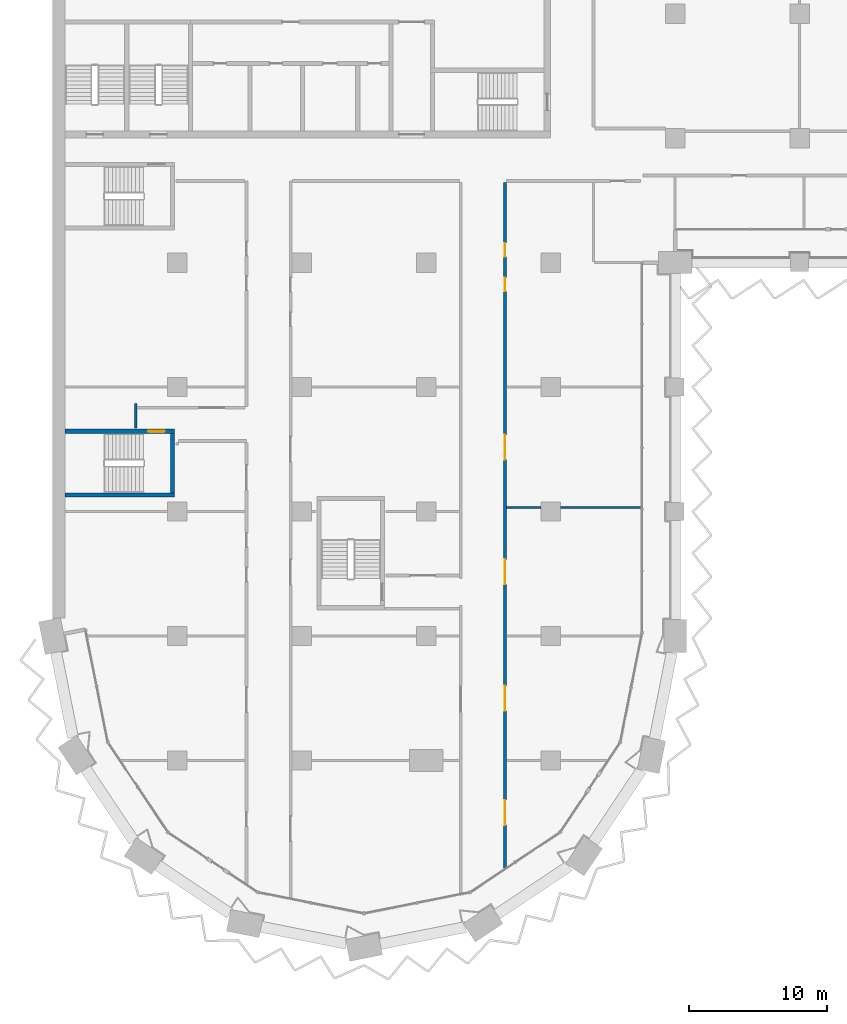
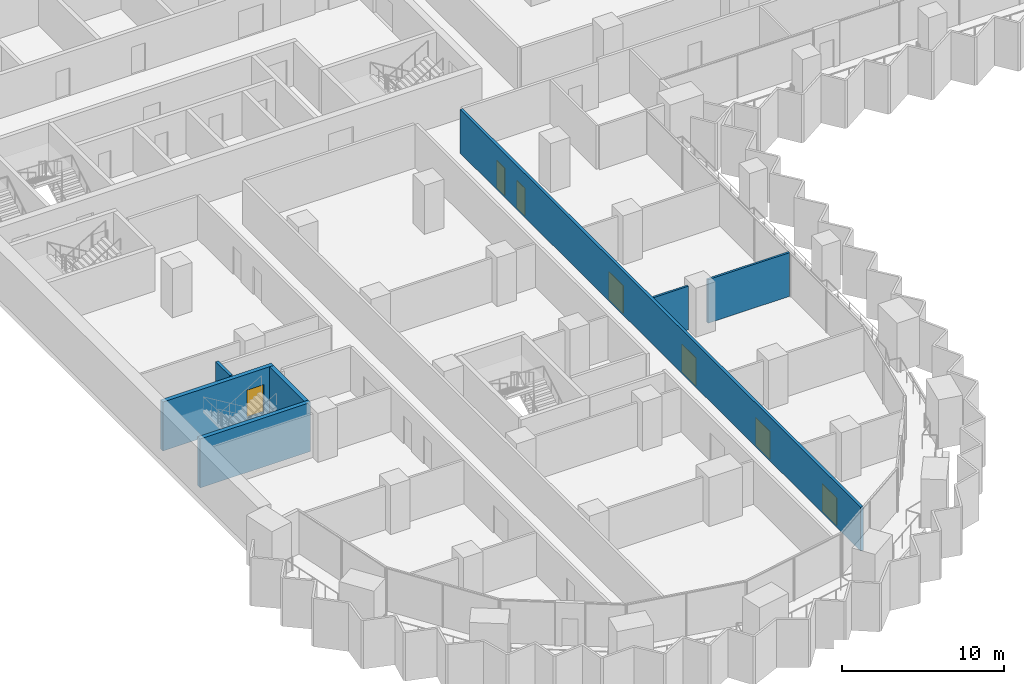
# One storey, part 11 of 29: 7 doors, 7 walls, 7 openings.
"""IFC4 building model written with IfcOpenShell, lengths in metres."""

from ifc_helpers import new_model, si_unit, direction, frame, frame_2d, origin, place, context, subcontext, project, spatial, rectangle, extrude, material, layer, layer_set, type_object, element, fill, save


model = new_model("IFC4")

# Units and contexts
model_context = context("Model", 3, precision=1e-05, world=origin(), true_north=direction((0.0, 1.0)))
body_context = subcontext(model_context, "Body", "Model", "MODEL_VIEW")
ifc_project = project(units=[si_unit("LENGTHUNIT", "METRE"), si_unit("AREAUNIT", "SQUARE_METRE"), si_unit("VOLUMEUNIT", "CUBIC_METRE"), si_unit("PLANEANGLEUNIT", "RADIAN"), si_unit("MASSUNIT", "GRAM", prefix="KILO")], contexts=[model_context])

# Site, building, storey
site_placement = place(None, origin())
site = spatial("IfcSite", under=ifc_project, at=site_placement, CompositionType="ELEMENT")
building_placement = place(site_placement, origin())
building = spatial("IfcBuilding", under=site, at=building_placement, Name="Hunhe Ridgeline Campus", CompositionType="ELEMENT")
storey_placement = place(building_placement, frame((0.0, 0.0, 69.10009765625)))
storey = spatial("IfcBuildingStorey", under=building, at=storey_placement, Name="L16", CompositionType="ELEMENT", Elevation=69.10009765625)

# Wall
ifc_material_1 = material(Name="Gypsum board partition")
ifc_layer_1 = layer(ifc_material_1, 0.199951171875)
ifc_layer_set_1 = layer_set([ifc_layer_1], Name="Corridor partition 200 gypsum board on steel studs")
wall_type_1 = type_object("IfcWallType", Name="Corridor partition 200 gypsum board on steel studs", PredefinedType="PARTITIONING", material=ifc_layer_set_1)
wall_1_placement = place(storey_placement, frame((6.0, 42.053955078125, 0.0), z_axis=(0.0, 0.0, 1.0), x_axis=(0.0, 1.0, 0.0)))
element("IfcWall", 1, at=wall_1_placement, inside=storey, type_object=wall_type_1, Name="F-L16-wall-050", PredefinedType="PARTITIONING", context=body_context, shape_type="SweptSolid", body=[
    extrude(rectangle(XDim=1.74609375, YDim=0.199951171875, at=frame_2d((0.873046875, 0.0))), origin(), (0.0, 0.0, 1.0), 3.2998046875),
])

# Wall, openings, doors
wall_2_placement = place(storey_placement, frame((32.699951171875, 59.800048828125, 0.0), z_axis=(0.0, 0.0, 1.0), x_axis=(0.0, -1.0, 0.0)))
wall_2 = element("IfcWall", 2, at=wall_2_placement, inside=storey, type_object=wall_type_1, Name="F-L16-wall-057", PredefinedType="PARTITIONING", context=body_context, shape_type="SweptSolid", body=[
    extrude(rectangle(XDim=49.572509765625, YDim=0.199951171875, at=frame_2d((24.7861328125, 0.0))), origin(), (0.0, 0.0, 1.0), 3.2998046875),
])
opening_1_placement = place(wall_2_placement, frame((44.666748046875, 0.0, 0.0)))
opening_1 = element("IfcOpeningElement", 3, at=opening_1_placement, cuts=wall_2, Name="Opening RD2-003", PredefinedType="OPENING", context=body_context, shape_type="SweptSolid", body=[
    extrude(rectangle(XDim=1.800048828125, YDim=2.10009765625, at=frame_2d((0.89990234375, 1.050048828125))), frame((0.0, 0.10009765625, 0.0), z_axis=(0.0, -1.0, 0.0), x_axis=(1.0, 0.0, 0.0)), (0.0, 0.0, 1.0), 0.199951171875),
])
opening_2_placement = place(wall_2_placement, frame((36.404541015625, 0.0, 0.0)))
opening_2 = element("IfcOpeningElement", 4, at=opening_2_placement, cuts=wall_2, Name="Opening RD2-006", PredefinedType="OPENING", context=body_context, shape_type="SweptSolid", body=[
    extrude(rectangle(XDim=1.800048828125, YDim=2.10009765625, at=frame_2d((0.89990234375, 1.050048828125))), frame((0.0, 0.10009765625, 0.0), z_axis=(0.0, -1.0, 0.0), x_axis=(1.0, 0.0, 0.0)), (0.0, 0.0, 1.0), 0.199951171875),
])
opening_3_placement = place(wall_2_placement, frame((27.26611328125, 0.0, 0.0)))
opening_3 = element("IfcOpeningElement", 5, at=opening_3_placement, cuts=wall_2, Name="Opening RD2-010", PredefinedType="OPENING", context=body_context, shape_type="SweptSolid", body=[
    extrude(rectangle(XDim=1.800048828125, YDim=2.10009765625, at=frame_2d((0.89990234375, 1.050048828125))), frame((0.0, 0.10009765625, 0.0), z_axis=(0.0, -1.0, 0.0), x_axis=(1.0, 0.0, 0.0)), (0.0, 0.0, 1.0), 0.199951171875),
])
opening_4_placement = place(wall_2_placement, frame((18.2529296875, 0.0, 0.0)))
opening_4 = element("IfcOpeningElement", 6, at=opening_4_placement, cuts=wall_2, Name="Opening RD2-014", PredefinedType="OPENING", context=body_context, shape_type="SweptSolid", body=[
    extrude(rectangle(XDim=1.800048828125, YDim=2.10009765625, at=frame_2d((0.89990234375, 1.050048828125))), frame((0.0, 0.10009765625, 0.0), z_axis=(0.0, -1.0, 0.0), x_axis=(1.0, 0.0, 0.0)), (0.0, 0.0, 1.0), 0.199951171875),
])
opening_5_placement = place(wall_2_placement, frame((6.8857421875, 0.0, 0.0)))
opening_5 = element("IfcOpeningElement", 7, at=opening_5_placement, cuts=wall_2, Name="Opening RD1-018", PredefinedType="OPENING", context=body_context, shape_type="SweptSolid", body=[
    extrude(rectangle(XDim=1.0, YDim=2.10009765625, at=frame_2d((0.5, 1.050048828125))), frame((0.0, 0.10009765625, 0.0), z_axis=(0.0, -1.0, 0.0), x_axis=(1.0, 0.0, 0.0)), (0.0, 0.0, 1.0), 0.199951171875),
])
opening_6_placement = place(wall_2_placement, frame((4.3857421875, 0.0, 0.0)))
opening_6 = element("IfcOpeningElement", 8, at=opening_6_placement, cuts=wall_2, Name="Opening RD1-020", PredefinedType="OPENING", context=body_context, shape_type="SweptSolid", body=[
    extrude(rectangle(XDim=1.0, YDim=2.10009765625, at=frame_2d((0.5, 1.050048828125))), frame((0.0, 0.10009765625, 0.0), z_axis=(0.0, -1.0, 0.0), x_axis=(1.0, 0.0, 0.0)), (0.0, 0.0, 1.0), 0.199951171875),
])
ifc_material_2 = material(Name="Timber door leaf", Category="wood")
door_type_1 = type_object("IfcDoorType", Name="Double fire door 1800x2100 timber FD60", OperationType="DOUBLE_DOOR_SINGLE_SWING", PredefinedType="DOOR", material=ifc_material_2)
door_1_placement = place(opening_1_placement, origin())
door_1 = element("IfcDoor", 9, at=door_1_placement, inside=storey, type_object=door_type_1, Name="F-L16-door-003", OperationType="DOUBLE_DOOR_SINGLE_SWING", OverallHeight=2.10009765625, OverallWidth=1.800048828125, PredefinedType="DOOR", context=body_context, shape_type="SweptSolid", body=[
    extrude(rectangle(XDim=1.800048828125, YDim=2.10009765625, at=frame_2d((0.89990234375, 1.050048828125))), frame((0.0, 0.02490234375, 0.0), z_axis=(0.0, -1.0, 0.0), x_axis=(1.0, 0.0, 0.0)), (0.0, 0.0, 1.0), 0.050048828125),
])
fill(opening_1, door_1)
door_2_placement = place(opening_2_placement, origin())
door_2 = element("IfcDoor", 10, at=door_2_placement, inside=storey, type_object=door_type_1, Name="F-L16-door-006", OperationType="DOUBLE_DOOR_SINGLE_SWING", OverallHeight=2.10009765625, OverallWidth=1.800048828125, PredefinedType="DOOR", context=body_context, shape_type="SweptSolid", body=[
    extrude(rectangle(XDim=1.800048828125, YDim=2.10009765625, at=frame_2d((0.89990234375, 1.050048828125))), frame((0.0, 0.02490234375, 0.0), z_axis=(0.0, -1.0, 0.0), x_axis=(1.0, 0.0, 0.0)), (0.0, 0.0, 1.0), 0.050048828125),
])
fill(opening_2, door_2)
door_3_placement = place(opening_3_placement, origin())
door_3 = element("IfcDoor", 11, at=door_3_placement, inside=storey, type_object=door_type_1, Name="F-L16-door-010", OperationType="DOUBLE_DOOR_SINGLE_SWING", OverallHeight=2.10009765625, OverallWidth=1.800048828125, PredefinedType="DOOR", context=body_context, shape_type="SweptSolid", body=[
    extrude(rectangle(XDim=1.800048828125, YDim=2.10009765625, at=frame_2d((0.89990234375, 1.050048828125))), frame((0.0, 0.02490234375, 0.0), z_axis=(0.0, -1.0, 0.0), x_axis=(1.0, 0.0, 0.0)), (0.0, 0.0, 1.0), 0.050048828125),
])
fill(opening_3, door_3)
door_4_placement = place(opening_4_placement, origin())
door_4 = element("IfcDoor", 12, at=door_4_placement, inside=storey, type_object=door_type_1, Name="F-L16-door-014", OperationType="DOUBLE_DOOR_SINGLE_SWING", OverallHeight=2.10009765625, OverallWidth=1.800048828125, PredefinedType="DOOR", context=body_context, shape_type="SweptSolid", body=[
    extrude(rectangle(XDim=1.800048828125, YDim=2.10009765625, at=frame_2d((0.89990234375, 1.050048828125))), frame((0.0, 0.02490234375, 0.0), z_axis=(0.0, -1.0, 0.0), x_axis=(1.0, 0.0, 0.0)), (0.0, 0.0, 1.0), 0.050048828125),
])
fill(opening_4, door_4)
door_type_2 = type_object("IfcDoorType", Name="Single fire door 1000x2100 timber FD60", OperationType="NOTDEFINED", PredefinedType="DOOR", material=ifc_material_2)
door_5_placement = place(opening_5_placement, frame((1.0, 0.0, 0.0), z_axis=(0.0, 0.0, 1.0), x_axis=(-1.0, 0.0, 0.0)))
door_5 = element("IfcDoor", 13, at=door_5_placement, inside=storey, type_object=door_type_2, Name="F-L16-door-018", OperationType="SINGLE_SWING_RIGHT", OverallHeight=2.10009765625, OverallWidth=1.0, PredefinedType="DOOR", context=body_context, shape_type="SweptSolid", body=[
    extrude(rectangle(XDim=1.0, YDim=2.10009765625, at=frame_2d((0.5, 1.050048828125))), frame((0.0, 0.02490234375, 0.0), z_axis=(0.0, -1.0, 0.0), x_axis=(1.0, 0.0, 0.0)), (0.0, 0.0, 1.0), 0.050048828125),
])
fill(opening_5, door_5)
door_6_placement = place(opening_6_placement, frame((1.0, 0.0, 0.0), z_axis=(0.0, 0.0, 1.0), x_axis=(-1.0, 0.0, 0.0)))
door_6 = element("IfcDoor", 14, at=door_6_placement, inside=storey, type_object=door_type_2, Name="F-L16-door-020", OperationType="SINGLE_SWING_RIGHT", OverallHeight=2.10009765625, OverallWidth=1.0, PredefinedType="DOOR", context=body_context, shape_type="SweptSolid", body=[
    extrude(rectangle(XDim=1.0, YDim=2.10009765625, at=frame_2d((0.5, 1.050048828125))), frame((0.0, 0.02490234375, 0.0), z_axis=(0.0, -1.0, 0.0), x_axis=(1.0, 0.0, 0.0)), (0.0, 0.0, 1.0), 0.050048828125),
])
fill(opening_6, door_6)

# Walls
ifc_layer_2 = layer(ifc_material_1, 0.14990234375)
ifc_layer_set_2 = layer_set([ifc_layer_2], Name="Room partition 150 gypsum board on steel studs")
wall_type_2 = type_object("IfcWallType", Name="Room partition 150 gypsum board on steel studs", PredefinedType="PARTITIONING", material=ifc_layer_set_2)
wall_3_placement = place(storey_placement, frame((32.800048828125, 36.300048828125, 0.0), z_axis=(0.0, 0.0, 1.0), x_axis=(1.0, 0.0, 0.0)))
element("IfcWall", 15, at=wall_3_placement, inside=storey, type_object=wall_type_2, Name="F-L16-wall-020", PredefinedType="PARTITIONING", context=body_context, shape_type="SweptSolid", body=[
    extrude(rectangle(XDim=2.5, YDim=0.14990234375, at=frame_2d((1.25, 0.0))), origin(), (0.0, 0.0, 1.0), 3.2998046875),
])
wall_4_placement = place(storey_placement, frame((36.699951171875, 36.300048828125, 0.0), z_axis=(0.0, 0.0, 1.0), x_axis=(1.0, 0.0, 0.0)))
element("IfcWall", 16, at=wall_4_placement, inside=storey, type_object=wall_type_2, Name="F-L16-wall-021", PredefinedType="PARTITIONING", context=body_context, shape_type="SweptSolid", body=[
    extrude(rectangle(XDim=5.844970703125, YDim=0.14990234375, at=frame_2d((2.92236328125, 0.0))), origin(), (0.0, 0.0, 1.0), 3.2998046875),
])
ifc_material_3 = material(Name="Concrete C80", Category="concrete")
ifc_layer_3 = layer(ifc_material_3, 0.300048828125)
ifc_layer_set_3 = layer_set([ifc_layer_3], Name="Stair wall 300 reinforced concrete C80")
wall_type_3 = type_object("IfcWallType", Name="Stair wall 300 reinforced concrete C80", PredefinedType="SOLIDWALL", material=ifc_layer_set_3)
wall_5_placement = place(storey_placement, frame((0.89990234375, 37.199951171875, -0.400146484375), z_axis=(0.0, 0.0, 1.0), x_axis=(1.0, 0.0, 0.0)))
element("IfcWall", 17, at=wall_5_placement, inside=storey, type_object=wall_type_3, Name="L16 core wall 3", PredefinedType="SOLIDWALL", context=body_context, shape_type="SweptSolid", body=[
    extrude(rectangle(XDim=7.900146484375, YDim=0.300048828125, at=frame_2d((3.9501953125, 0.0))), origin(), (0.0, 0.0, 1.0), 3.699951171875),
])

# Wall, opening, door
wall_6_placement = place(storey_placement, frame((0.89990234375, 41.800048828125, -0.400146484375), z_axis=(0.0, 0.0, 1.0), x_axis=(1.0, 0.0, 0.0)))
wall_6 = element("IfcWall", 18, at=wall_6_placement, inside=storey, type_object=wall_type_3, Name="L16 core wall 4", PredefinedType="SOLIDWALL", context=body_context, shape_type="SweptSolid", body=[
    extrude(rectangle(XDim=7.900146484375, YDim=0.300048828125, at=frame_2d((3.9501953125, 0.0))), origin(), (0.0, 0.0, 1.0), 3.699951171875),
])
opening_7_placement = place(wall_6_placement, frame((6.0, 0.0, 0.39990234375)))
opening_7 = element("IfcOpeningElement", 19, at=opening_7_placement, cuts=wall_6, Name="Opening CD21", PredefinedType="OPENING", context=body_context, shape_type="SweptSolid", body=[
    extrude(rectangle(XDim=1.199951171875, YDim=2.10009765625, at=frame_2d((0.60009765625, 1.050048828125))), frame((0.0, 0.14990234375, 0.0), z_axis=(0.0, -1.0, 0.0), x_axis=(1.0, 0.0, 0.0)), (0.0, 0.0, 1.0), 0.300048828125),
])
ifc_material_4 = material(Name="Hollow metal fire door leaf")
door_type_3 = type_object("IfcDoorType", Name="Stair door 1200x2100 FD60", OperationType="SINGLE_SWING_LEFT", PredefinedType="DOOR", material=ifc_material_4)
door_7_placement = place(opening_7_placement, origin())
door_7 = element("IfcDoor", 20, at=door_7_placement, inside=storey, type_object=door_type_3, Name="L16 door W1", OperationType="SINGLE_SWING_LEFT", OverallHeight=2.10009765625, OverallWidth=1.199951171875, PredefinedType="DOOR", context=body_context, shape_type="SweptSolid", body=[
    extrude(rectangle(XDim=1.199951171875, YDim=2.10009765625, at=frame_2d((0.60009765625, 1.050048828125))), frame((0.0, 0.02490234375, 0.0), z_axis=(0.0, -1.0, 0.0), x_axis=(1.0, 0.0, 0.0)), (0.0, 0.0, 1.0), 0.050048828125),
])
fill(opening_7, door_7)

# Wall
wall_7_placement = place(storey_placement, frame((8.64990234375, 37.35009765625, -0.400146484375), z_axis=(0.0, 0.0, 1.0), x_axis=(0.0, 1.0, 0.0)))
element("IfcWall", 21, at=wall_7_placement, inside=storey, type_object=wall_type_3, Name="L16 core wall 41", PredefinedType="SOLIDWALL", context=body_context, shape_type="SweptSolid", body=[
    extrude(rectangle(XDim=4.2998046875, YDim=0.300048828125, at=frame_2d((2.14990234375, 0.0))), origin(), (0.0, 0.0, 1.0), 3.699951171875),
])

save(model, "model.ifc")
